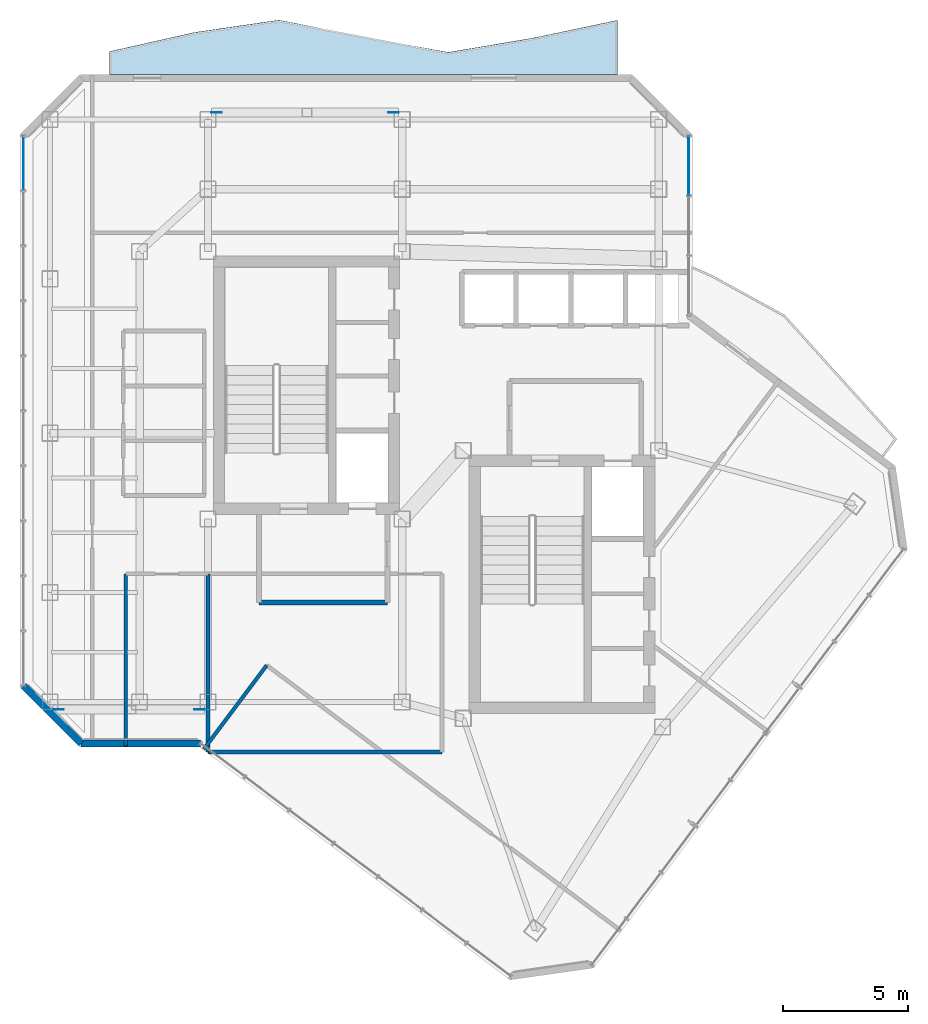
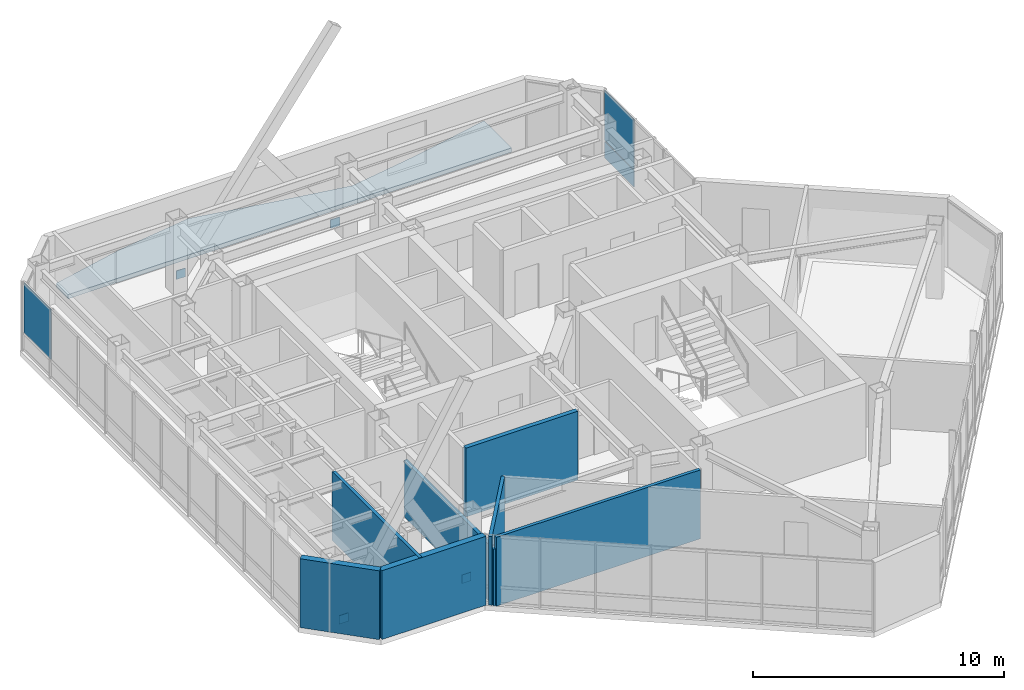
# One storey, part 17 of 22: 7 plates, 7 walls, 1 slab, 2 elements without a shape of their own.
"""IFC4 building model written with IfcOpenShell, lengths in metres."""

import ifcopenshell
import ifcopenshell.guid

model = None  # the IFC model being written
_history = None  # IfcOwnerHistory: only IFC2X3 demands one
_inside = {}  # id of a spatial element -> (the spatial element, [elements in it])
_under = {}  # id of a project, library or spatial element -> (it, [spatial elements below it])
_declared = {}  # id of a project -> (the project, [libraries it declares])
_typed = {}  # id of a type object -> (the type object, [elements of that type])
_made_of = {}  # id of a material, layer set ... -> (it, [elements and type objects made of it])


def new_model(schema):
    """Start an empty IFC model of exactly this schema.

    Asked for "IFC4X3", IfcOpenShell would pick the latest addendum, in which some entities
    have other attributes; the version numbers below select the first issue.
    IFC2X3 requires an IfcOwnerHistory on every rooted entity: one is made here for all.
    """
    global model, _history
    if schema == "IFC4X3":
        model = ifcopenshell.file(schema_version=(4, 3, 0, 0))
    else:
        model = ifcopenshell.file(schema=schema)
    _inside.clear()
    _under.clear()
    _declared.clear()
    _typed.clear()
    _made_of.clear()
    _history = None
    if model.schema == "IFC2X3":
        org = make("IfcOrganization", Name="unknown")
        user = make(
            "IfcPersonAndOrganization",
            ThePerson=make("IfcPerson", FamilyName="unknown"),
            TheOrganization=org,
        )
        app = make(
            "IfcApplication",
            ApplicationDeveloper=org,
            Version="unknown",
            ApplicationFullName="unknown",
            ApplicationIdentifier="unknown",
        )
        _history = make(
            "IfcOwnerHistory",
            OwningUser=user,
            OwningApplication=app,
            ChangeAction="ADDED",
            CreationDate=0,
        )
    return model


def make(cls, **values):
    """One entity of the class cls with the attributes given. An attribute that is None is left unset."""
    return model.create_entity(
        cls, **{name: value for name, value in values.items() if value is not None}
    )


def rooted(cls, **values):
    """An entity with a GlobalId (a new one), such as an element, a storey or a relation."""
    return make(cls, GlobalId=ifcopenshell.guid.new(), OwnerHistory=_history, **values)


def si_unit(unit_type, name, prefix=None):
    """IfcSIUnit, for example si_unit("LENGTHUNIT", "METRE", prefix="MILLI")."""
    return make("IfcSIUnit", UnitType=unit_type, Prefix=prefix, Name=name)


def assignment(units):
    """IfcUnitAssignment: the units of a project."""
    return None if units is None else make("IfcUnitAssignment", Units=units)


def point(xyz):
    """IfcCartesianPoint."""
    return None if xyz is None else make("IfcCartesianPoint", Coordinates=xyz)


def direction(xyz):
    """IfcDirection."""
    return None if xyz is None else make("IfcDirection", DirectionRatios=xyz)


def frame(location, z_axis=None, x_axis=None):
    """IfcAxis2Placement3D, a coordinate frame: its origin and axes. An axis left out is left unset."""
    return make(
        "IfcAxis2Placement3D",
        Location=point(location),
        Axis=direction(z_axis),
        RefDirection=direction(x_axis),
    )


def frame_2d(location, x_axis=None):
    """IfcAxis2Placement2D, a coordinate frame in the plane: its origin and x axis."""
    return make(
        "IfcAxis2Placement2D", Location=point(location), RefDirection=direction(x_axis)
    )


def origin():
    """The frame at (0, 0, 0) with its axes left unset."""
    return frame((0.0, 0.0, 0.0))


def origin_2d():
    """The frame at (0, 0) in the plane with its x axis left unset."""
    return frame_2d((0.0, 0.0))


def place(relative_to, where):
    """IfcLocalPlacement: puts the frame where relative to a parent placement (None: the world)."""
    return make(
        "IfcLocalPlacement", PlacementRelTo=relative_to, RelativePlacement=where
    )


def context(
    kind, dimensions, precision=None, world=None, true_north=None, identifier=None
):
    """IfcGeometricRepresentationContext, for example the 3D "Model" context."""
    return make(
        "IfcGeometricRepresentationContext",
        ContextIdentifier=identifier,
        ContextType=kind,
        CoordinateSpaceDimension=dimensions,
        Precision=precision,
        WorldCoordinateSystem=world,
        TrueNorth=true_north,
    )


def subcontext(parent, identifier, kind, view, scale=None):
    """IfcGeometricRepresentationSubContext, for example "Body" below "Model"."""
    return make(
        "IfcGeometricRepresentationSubContext",
        ContextIdentifier=identifier,
        ContextType=kind,
        ParentContext=parent,
        TargetScale=scale,
        TargetView=view,
    )


def project(units=None, contexts=None):
    """IfcProject with its units and contexts."""
    return rooted(
        "IfcProject",
        Name="project",
        RepresentationContexts=contexts,
        UnitsInContext=assignment(units),
    )


def spatial(cls, under=None, at=None, **own):
    """A site, building, storey or space (cls), placed at a placement, below another one or the project."""
    s = rooted(cls, ObjectPlacement=at, **own)
    if under is not None:
        _under.setdefault(under.id(), (under, []))[1].append(s)
    return s


def polyline(points):
    """IfcPolyline through the points."""
    return make("IfcPolyline", Points=[point(p) for p in points])


def profile(cls, at=None, kind="AREA", **sizes):
    """A parametric profile (cls). Its sizes go by their IFC names, for example OverallWidth=200.0."""
    return make(cls, ProfileType=kind, Position=at, **sizes)


def rectangle(**sizes):
    """IfcRectangleProfileDef."""
    return profile("IfcRectangleProfileDef", **sizes)


def outline(outer, holes=None, kind="AREA"):
    """IfcArbitraryClosedProfileDef: a profile drawn as a closed curve; with holes, ...WithVoids."""
    if holes is None:
        return make("IfcArbitraryClosedProfileDef", ProfileType=kind, OuterCurve=outer)
    return make(
        "IfcArbitraryProfileDefWithVoids",
        ProfileType=kind,
        OuterCurve=outer,
        InnerCurves=holes,
    )


def extrude(swept, where, along, depth):
    """IfcExtrudedAreaSolid: the profile swept, set in the frame where, extruded along a direction by depth."""
    return make(
        "IfcExtrudedAreaSolid",
        SweptArea=swept,
        Position=where,
        ExtrudedDirection=direction(along),
        Depth=depth,
    )


def shape(context_of_items, identifier, shape_type, items):
    """IfcShapeRepresentation: the items that make up one representation, for example the "Body"."""
    return make(
        "IfcShapeRepresentation",
        ContextOfItems=context_of_items,
        RepresentationIdentifier=identifier,
        RepresentationType=shape_type,
        Items=items,
    )


def material(Name=None, Category=None):
    """IfcMaterial."""
    return make("IfcMaterial", Name=Name, Category=Category)


def layer(
    of_material, thickness, ventilated=None, Name=None, Category=None, Priority=None
):
    """IfcMaterialLayer: one layer of a wall or slab, of a material (None: an air gap)."""
    return make(
        "IfcMaterialLayer",
        Material=of_material,
        LayerThickness=thickness,
        IsVentilated=ventilated,
        Name=Name,
        Category=Category,
        Priority=Priority,
    )


def layer_set(layers, Name=None):
    """IfcMaterialLayerSet."""
    return make("IfcMaterialLayerSet", MaterialLayers=layers, LayerSetName=Name)


def made_of(thing, what):
    """Note that an element or type object is made of a material, layer set ...; save() writes the relation."""
    if what is not None:
        _made_of.setdefault(what.id(), (what, []))[1].append(thing)
    return thing


def type_object(cls, material=None, **own):
    """A type object (cls), such as IfcWallType, which elements share."""
    return made_of(rooted(cls, **own), material)


def element(
    cls,
    number,
    at=None,
    inside=None,
    cuts=None,
    type_object=None,
    material=None,
    context=None,
    identifier="Body",
    shape_type=None,
    held_by="IfcProductDefinitionShape",
    body=None,
    shapes=None,
    **own,
):
    """One element of the class cls, such as IfcWall. Its Tag is "e" and its number.

    at: its placement. inside: the storey or other place that contains it. cuts: it is an
    opening in that element (IfcRelVoidsElement). A single representation is given by context,
    identifier, shape_type and body (its items); several are given by shapes. held_by: the class
    of the entity that holds the representations. save() writes the other relations.
    """
    e = rooted(cls, Tag="e%d" % number, ObjectPlacement=at, **own)
    if body is not None:
        shapes = [shape(context, identifier, shape_type, body)]
    if shapes is not None:
        e.Representation = make(held_by, Representations=shapes)
    if inside is not None:
        _inside.setdefault(inside.id(), (inside, []))[1].append(e)
    if cuts is not None:
        rooted(
            "IfcRelVoidsElement", RelatingBuildingElement=cuts, RelatedOpeningElement=e
        )
    if type_object is not None:
        _typed.setdefault(type_object.id(), (type_object, []))[1].append(e)
    return made_of(e, material)


def aggregate(whole, parts):
    """IfcRelAggregates: a whole, such as a stair, and the parts it consists of."""
    return rooted("IfcRelAggregates", RelatingObject=whole, RelatedObjects=parts)


def save(model, path):
    """Write the relations noted so far, then the file.

    IfcRelAggregates (storeys below a building ...), IfcRelContainedInSpatialStructure (elements
    in a storey), IfcRelDefinesByType, IfcRelAssociatesMaterial and IfcRelDeclares: one each for
    every whole, place, type object, material and project.
    """
    for whole, parts in _under.values():
        aggregate(whole, parts)
    for where, things in _inside.values():
        rooted(
            "IfcRelContainedInSpatialStructure",
            RelatedElements=things,
            RelatingStructure=where,
        )
    for kind, things in _typed.values():
        rooted("IfcRelDefinesByType", RelatedObjects=things, RelatingType=kind)
    for what, things in _made_of.values():
        rooted("IfcRelAssociatesMaterial", RelatedObjects=things, RelatingMaterial=what)
    for by, libraries in _declared.values():
        rooted("IfcRelDeclares", RelatingContext=by, RelatedDefinitions=libraries)
    model.write(path)


model = new_model("IFC4")

# Units and contexts
model_context = context("Model", 3, precision=1e-05, world=origin(), true_north=direction((0.0, 1.0)))
body_context = subcontext(model_context, "Body", "Model", "MODEL_VIEW")
ifc_project = project(units=[si_unit("LENGTHUNIT", "METRE"), si_unit("AREAUNIT", "SQUARE_METRE"), si_unit("VOLUMEUNIT", "CUBIC_METRE"), si_unit("PLANEANGLEUNIT", "RADIAN"), si_unit("MASSUNIT", "GRAM", prefix="KILO")], contexts=[model_context])

# Site, building, storey
site_placement = place(None, origin())
site = spatial("IfcSite", under=ifc_project, at=site_placement, CompositionType="ELEMENT")
building_placement = place(site_placement, origin())
building = spatial("IfcBuilding", under=site, at=building_placement, Name="Hatsunagi Terrace Concourse", CompositionType="ELEMENT")
storey_placement = place(building_placement, frame((0.0, 0.0, 239.550048828125)))
storey = spatial("IfcBuildingStorey", under=building, at=storey_placement, Name="L63", CompositionType="ELEMENT", Elevation=239.550048828125)

# Curtain wall, plate
ifc_material_1 = material(Name="Anodised Aluminium Alloy 6063-T5", Category="aluminium")
ifc_layer_1 = layer(ifc_material_1, 0.199951171875)
ifc_layer_set_1 = layer_set([ifc_layer_1], Name="OfficeZone2_CW04")
curtain_wall_type = type_object("IfcCurtainWallType", Name="OfficeZone2_CW04", PredefinedType="NOTDEFINED", material=ifc_layer_set_1)
curtain_wall_1_placement = place(storey_placement, origin())
curtain_wall_1 = element("IfcCurtainWall", 1, at=curtain_wall_1_placement, inside=storey, type_object=curtain_wall_type, Name="Unitised Curtain Wall CW-04 CW-L63-12", PredefinedType="NOTDEFINED")
ifc_material_2 = material(Name="Warm Terracotta Ceramic Spandrel Panel", Category="masonry")
ifc_layer_2 = layer(ifc_material_2, 0.031982421875)
ifc_layer_set_2 = layer_set([ifc_layer_2], Name="CurtainWallSpandrelPanel_32")
plate_type_1 = type_object("IfcPlateType", Name="CurtainWallSpandrelPanel_32", PredefinedType="SHEET", material=ifc_layer_set_2)
plate_1_placement = place(storey_placement, frame((44.860107421875, 46.739990234375, 0.030029296875), z_axis=(0.0, 0.0, 1.0), x_axis=(0.0, -1.0, 0.0)))
plate_1 = element("IfcPlate", 2, at=plate_1_placement, type_object=plate_type_1, Name="Terracotta Spandrel Panel SPN-01", PredefinedType="SHEET", context=body_context, shape_type="SweptSolid", body=[
    extrude(rectangle(XDim=2.34912109375, YDim=0.031982421875, at=origin_2d()), origin(), (0.0, 0.0, 1.0), 0.7900390625),
])

curtain_wall_2_placement = place(storey_placement, origin())
curtain_wall_2 = element("IfcCurtainWall", 3, at=curtain_wall_2_placement, inside=storey, type_object=curtain_wall_type, Name="Unitised Curtain Wall CW-04 CW-L63-08", PredefinedType="NOTDEFINED")
ifc_material_3 = material(Name="Low-E Double Insulating Glass 28mm", Category="glass")
ifc_layer_3 = layer(ifc_material_3, 0.028076171875)
ifc_layer_set_3 = layer_set([ifc_layer_3], Name="CurtainWallVisionGlass_28")
plate_type_2 = type_object("IfcPlateType", Name="CurtainWallVisionGlass_28", PredefinedType="CURTAIN_PANEL", material=ifc_layer_set_3)
plate_2_placement = place(storey_placement, frame((18.139892578125, 46.837890625, 0.8798828125), z_axis=(0.0, 0.0, 1.0), x_axis=(0.0, 1.0, 0.0)))
plate_2 = element("IfcPlate", 4, at=plate_2_placement, type_object=plate_type_2, Name="Low-E Vision Glass Panel GLZ-01", PredefinedType="CURTAIN_PANEL", context=body_context, shape_type="SweptSolid", body=[
    extrude(rectangle(XDim=2.153076171875, YDim=0.028076171875, at=origin_2d()), origin(), (0.0, 0.0, 1.0), 2.43994140625),
])
aggregate(curtain_wall_2, [plate_2])

# Plate
plate_3_placement = place(storey_placement, frame((44.860107421875, 46.739990234375, 0.8798828125), z_axis=(0.0, 0.0, 1.0), x_axis=(0.0, -1.0, 0.0)))
plate_3 = element("IfcPlate", 5, at=plate_3_placement, type_object=plate_type_2, Name="Low-E Vision Glass Panel GLZ-01", PredefinedType="CURTAIN_PANEL", context=body_context, shape_type="SweptSolid", body=[
    extrude(rectangle(XDim=2.34912109375, YDim=0.028076171875, at=origin_2d()), origin(), (0.0, 0.0, 1.0), 2.43994140625),
])

aggregate(curtain_wall_1, [plate_1, plate_3])

# Slab
ifc_material_4 = material(Name="Concrete Fc42", Category="concrete")
ifc_layer_4 = layer(ifc_material_4, 0.199951171875)
ifc_layer_set_4 = layer_set([ifc_layer_4], Name="EngawaBalconySlab_Fc42_200")
slab_type = type_object("IfcSlabType", Name="EngawaBalconySlab_Fc42_200", PredefinedType="FLOOR", material=ifc_layer_set_4)
slab_placement = place(storey_placement, frame((0.0, 0.0, -0.199951171875)))
element("IfcSlab", 6, at=slab_placement, inside=storey, type_object=slab_type, Name="Engawa Balcony Slab BAL-L63-BN", PredefinedType="FLOOR", context=body_context, shape_type="SweptSolid", body=[
    extrude(outline(polyline([(21.60009765625, 51.33203125), (21.60009765625, 50.39990234375), (42.0, 50.39990234375), (42.0, 52.5859375), (38.60009765625, 51.87109375), (35.199951171875, 51.300048828125), (31.800048828125, 51.916015625), (28.39990234375, 52.593994140625), (25.0, 52.095947265625), (21.60009765625, 51.33203125)])), origin(), (0.0, 0.0, 1.0), 0.199951171875),
])

# Plates
ifc_material_5 = material(Name="Steel SN490C", Category="steel")
ifc_layer_5 = layer(ifc_material_5, 0.031982421875)
ifc_layer_set_5 = layer_set([ifc_layer_5], Name="XBraceNodeCapPlate_32")
plate_type_3 = type_object("IfcPlateType", Name="XBraceNodeCapPlate_32", PredefinedType="USERDEFINED", material=ifc_layer_set_5)
for number, where, z_axis, x_axis, name in (
    (7, (19.550048828125, 24.89990234375, 0.22998046875), (0.0, 0.0, 1.0), (1.0, 0.0, 0.0), "Cast-In Core and Node Embed Plate GP-02 EP-XB-L63-W1-AB"),
    (8, (25.199951171875, 24.89990234375, 0.22998046875), (0.0, 0.0, 1.0), (1.0, 0.0, 0.0), "Cast-In Core and Node Embed Plate GP-02 EP-XB-L63-W1-BB"),
    (9, (25.89990234375, 48.8798828125, 0.22998046875), (0.0, 0.0, 1.0), (1.0, 0.0, 0.0), "Cast-In Core and Node Embed Plate GP-02 EP-XB-L63-SE-AB"),
    (10, (33.0, 48.8798828125, 0.22998046875), (0.0, 0.0, 1.0), (1.0, 0.0, 0.0), "Cast-In Core and Node Embed Plate GP-02 EP-XB-L63-SE-BB"),
):
    element("IfcPlate", number, at=place(storey_placement, frame(where, z_axis=z_axis, x_axis=x_axis)), inside=storey, type_object=plate_type_3, Name=name, ObjectType="GUSSET_PLATE", PredefinedType="USERDEFINED", context=body_context, shape_type="SweptSolid", body=[
        extrude(rectangle(XDim=0.419921875, YDim=0.031982421875, at=origin_2d()), origin(), (0.0, 0.0, 1.0), 0.419921875),
    ])

# Walls
ifc_material_6 = material(Name="Acoustic mineral board", Category="gypsum")
ifc_layer_6 = layer(ifc_material_6, 0.14990234375)
ifc_layer_set_6 = layer_set([ifc_layer_6], Name="PartitionWall_EI60_150")
wall_type_1 = type_object("IfcWallType", Name="PartitionWall_EI60_150", PredefinedType="PARTITIONING", material=ifc_layer_set_6)
wall_1_placement = place(storey_placement, frame((25.550048828125, 23.199951171875, 0.0), z_axis=(0.0, 0.0, 1.0), x_axis=(1.0, 0.0, 0.0)))
element("IfcWall", 11, at=wall_1_placement, inside=storey, type_object=wall_type_1, Name="Interior Partition IW-L63-027", PredefinedType="PARTITIONING", context=body_context, shape_type="SweptSolid", body=[
    extrude(rectangle(XDim=9.39990234375, YDim=0.14990234375, at=frame_2d((4.699951171875, 0.0))), origin(), (0.0, 0.0, 1.0), 3.349853515625),
])
wall_2_placement = place(storey_placement, frame((25.550048828125, 23.199951171875, 0.0), z_axis=(0.0, 0.0, 1.0), x_axis=(0.0, 1.0, 0.0)))
element("IfcWall", 12, at=wall_2_placement, inside=storey, type_object=wall_type_1, Name="Interior Partition IW-L63-029", PredefinedType="PARTITIONING", context=body_context, shape_type="SweptSolid", body=[
    extrude(rectangle(XDim=7.150146484375, YDim=0.14990234375, at=frame_2d((3.5751953125, 0.0))), origin(), (0.0, 0.0, 1.0), 2.7568359375),
])
wall_3_placement = place(storey_placement, frame((22.25, 23.43994140625, 0.0), z_axis=(0.0, 0.0, 1.0), x_axis=(0.0, 1.0, 0.0)))
element("IfcWall", 13, at=wall_3_placement, inside=storey, type_object=wall_type_1, Name="Interior Partition IW-L63-036", PredefinedType="PARTITIONING", context=body_context, shape_type="SweptSolid", body=[
    extrude(rectangle(XDim=6.91015625, YDim=0.14990234375, at=frame_2d((3.455078125, 0.0))), origin(), (0.0, 0.0, 1.0), 3.349853515625),
])
wall_4_placement = place(storey_placement, frame((25.384033203125, 23.31201171875, 0.0), z_axis=(0.0, 0.0, 1.0), x_axis=(0.599990721155, 0.80000695905, 0.0)))
element("IfcWall", 14, at=wall_4_placement, inside=storey, type_object=wall_type_1, Name="Interior Partition IW-L63-038", PredefinedType="PARTITIONING", context=body_context, shape_type="SweptSolid", body=[
    extrude(rectangle(XDim=4.2099609375, YDim=0.14990234375, at=frame_2d((2.10498046875, 0.0))), origin(), (0.0, 0.0, 1.0), 3.349853515625),
])
ifc_material_7 = material(Name="Acoustic mineral board", Category="gypsum")
ifc_layer_7 = layer(ifc_material_7, 0.199951171875)
ifc_layer_set_7 = layer_set([ifc_layer_7], Name="ShaftWall_EI120_200")
wall_type_2 = type_object("IfcWallType", Name="ShaftWall_EI120_200", PredefinedType="STANDARD", material=ifc_layer_set_7)
wall_5_placement = place(storey_placement, frame((27.60009765625, 29.199951171875, 0.0), z_axis=(0.0, 0.0, 1.0), x_axis=(1.0, 0.0, 0.0)))
element("IfcWall", 15, at=wall_5_placement, inside=storey, type_object=wall_type_2, Name="Interior Partition IW-L63-007", PredefinedType="STANDARD", context=body_context, shape_type="SweptSolid", body=[
    extrude(rectangle(XDim=5.14990234375, YDim=0.199951171875, at=frame_2d((2.574951171875, 0.0))), origin(), (0.0, 0.0, 1.0), 3.349853515625),
])
ifc_material_8 = material(Name="Autoclaved Lightweight Concrete and Terracotta Cladding", Category="masonry")
ifc_layer_8 = layer(ifc_material_8, 0.280029296875)
ifc_layer_set_8 = layer_set([ifc_layer_8], Name="TerracottaSpandrelWall_280")
wall_type_3 = type_object("IfcWallType", Name="TerracottaSpandrelWall_280", PredefinedType="STANDARD", material=ifc_layer_set_8)
wall_6_placement = place(storey_placement, frame((25.2470703125, 23.5400390625, 0.0), z_axis=(0.0, 0.0, 1.0), x_axis=(-1.0, 0.0, 0.0)))
element("IfcWall", 16, at=wall_6_placement, inside=storey, type_object=wall_type_3, Name="Exterior Spandrel Wall EW-L63-06", PredefinedType="STANDARD", context=body_context, shape_type="SweptSolid", body=[
    extrude(rectangle(XDim=4.7890625, YDim=0.280029296875, at=frame_2d((2.39453125, 0.0))), origin(), (0.0, 0.0, 1.0), 3.349853515625),
])
wall_7_placement = place(storey_placement, frame((20.4580078125, 23.5400390625, 0.0), z_axis=(0.0, 0.0, 1.0), x_axis=(-0.707144017911, 0.707069542501, 0.0)))
element("IfcWall", 17, at=wall_7_placement, inside=storey, type_object=wall_type_3, Name="Exterior Spandrel Wall EW-L63-07", PredefinedType="STANDARD", context=body_context, shape_type="SweptSolid", body=[
    extrude(rectangle(XDim=3.278076171875, YDim=0.280029296875, at=frame_2d((1.63916015625, 0.0))), origin(), (0.0, 0.0, 1.0), 3.349853515625),
])

save(model, "model.ifc")
